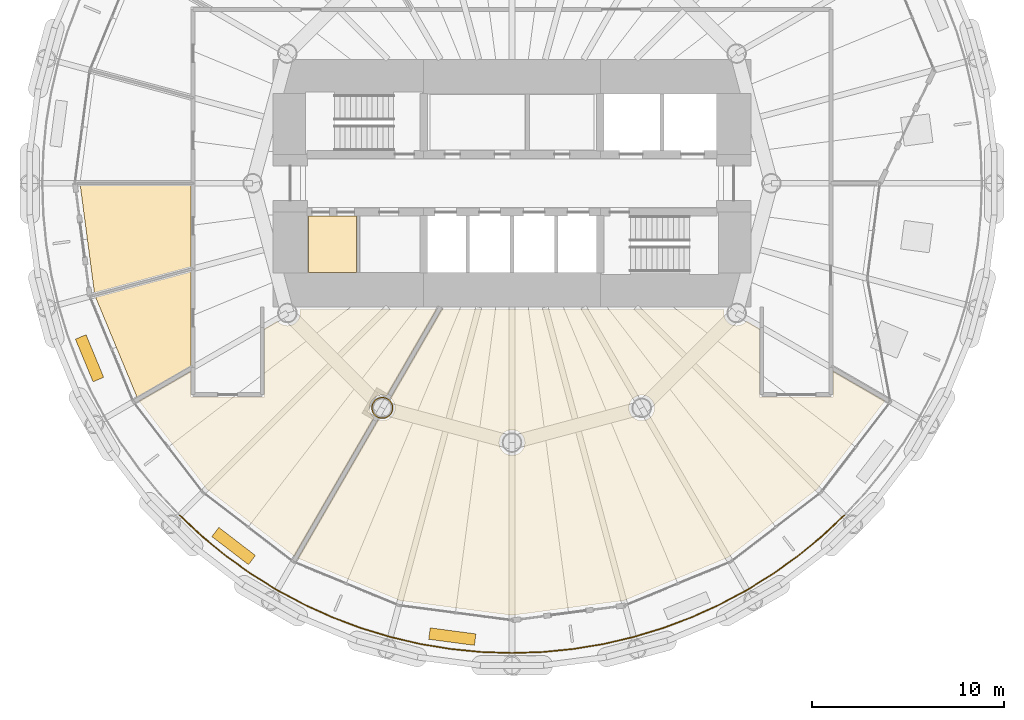
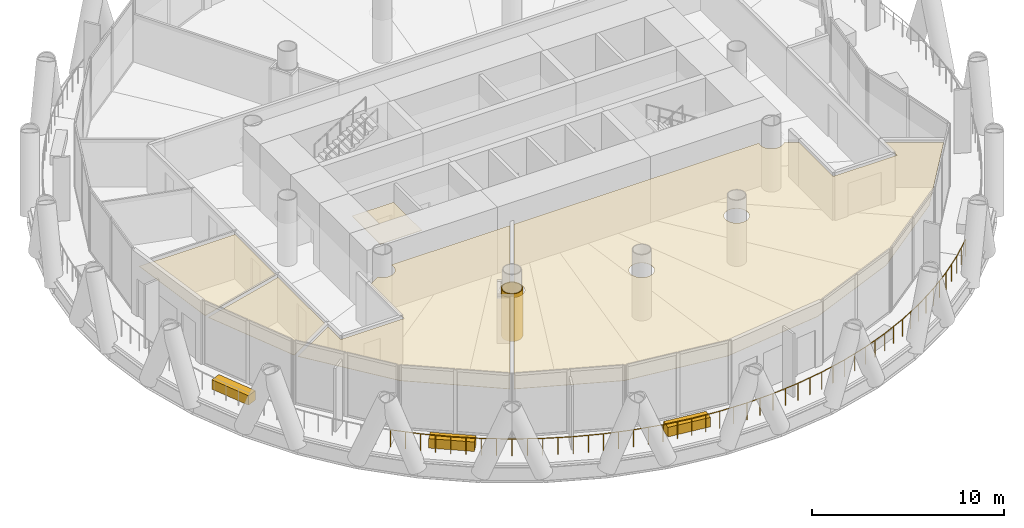
# One storey, part 12 of 15: 9 coverings, 1 railing.
"""IFC4 building model written with IfcOpenShell, lengths in metres."""

from ifc_helpers import new_model, si_unit, direction, frame, origin, origin_2d, place, context, subcontext, project, spatial, polyline, rectangle, circle, outline, extrude, material, layer, layer_set, type_object, element, save


model = new_model("IFC4")

# Units and contexts
model_context = context("Model", 3, precision=1e-05, world=origin(), true_north=direction((0.0, 1.0)))
body_context = subcontext(model_context, "Body", "Model", "MODEL_VIEW")
ifc_project = project(units=[si_unit("LENGTHUNIT", "METRE"), si_unit("AREAUNIT", "SQUARE_METRE"), si_unit("VOLUMEUNIT", "CUBIC_METRE"), si_unit("PLANEANGLEUNIT", "RADIAN"), si_unit("MASSUNIT", "GRAM", prefix="KILO")], contexts=[model_context])

# Site, building, storey
site_placement = place(None, origin())
site = spatial("IfcSite", under=ifc_project, at=site_placement, CompositionType="ELEMENT")
building_placement = place(site_placement, origin())
building = spatial("IfcBuilding", under=site, at=building_placement, Name="Qaws Media Tower", CompositionType="ELEMENT")
storey_placement = place(building_placement, frame((0.0, 0.0, 122.60009765625)))
storey = spatial("IfcBuildingStorey", under=building, at=storey_placement, Name="L27", CompositionType="ELEMENT", Elevation=122.60009765625)

# Railing
ifc_material_1 = material(Name="Stainless steel and glass guard", Category="steel")
railing_type = type_object("IfcRailingType", Name="Balcony guard 1100", PredefinedType="GUARDRAIL", material=ifc_material_1)
railing_placement = place(storey_placement, frame((42.711181640625, 32.711181640625, 0.0)))
element("IfcRailing", 1, at=railing_placement, inside=storey, type_object=railing_type, Name="GR1 balcony guard L27-3", PredefinedType="GUARDRAIL", context=body_context, shape_type="SweptSolid", body=[
    extrude(circle(Radius=0.02392578125, at=origin_2d()), frame((0.0, 0.0, 1.076171875), z_axis=(0.729846437179, -0.683611130788, 0.0), x_axis=(0.683611130788, 0.729846437179, 0.0)), (0.0, 0.0, 1.0), 1.599853515625),
    extrude(circle(Radius=0.02392578125, at=origin_2d()), frame((1.167724609375, -1.09375, 1.076171875), z_axis=(0.773052264414, -0.634342333827, 0.0), x_axis=(0.634342333827, 0.773052264414, 0.0)), (0.0, 0.0, 1.0), 1.599853515625),
    extrude(circle(Radius=0.02392578125, at=origin_2d()), frame((2.404541015625, -2.108642578125, 1.076171875), z_axis=(0.812866495667, -0.582450049551, 0.0), x_axis=(0.582450049551, 0.812866495667, 0.0)), (0.0, 0.0, 1.0), 1.599853515625),
    extrude(circle(Radius=0.02392578125, at=origin_2d()), frame((3.705078125, -3.04052734375, 1.076171875), z_axis=(0.849170660789, -0.528118536746, 0.0), x_axis=(0.528118536746, 0.849170660789, 0.0)), (0.0, 0.0, 1.0), 1.599853515625),
    extrude(circle(Radius=0.02392578125, at=origin_2d()), frame((5.063720703125, -3.885498046875, 1.076171875), z_axis=(0.881951354239, -0.471340438278, 0.0), x_axis=(0.471340438278, 0.881951354239, 0.0)), (0.0, 0.0, 1.0), 1.60009765625),
    extrude(circle(Radius=0.02392578125, at=origin_2d()), frame((6.474853515625, -4.6396484375, 1.076171875), z_axis=(0.910836214767, -0.412767961291, 0.0), x_axis=(0.412767961291, 0.910836214767, 0.0)), (0.0, 0.0, 1.0), 1.599853515625),
    extrude(circle(Radius=0.02392578125, at=origin_2d()), frame((7.93212890625, -5.300048828125, 1.076171875), z_axis=(0.935939832286, -0.352159949938, 0.0), x_axis=(0.352159949938, 0.935939832286, 0.0)), (0.0, 0.0, 1.0), 1.60009765625),
    extrude(circle(Radius=0.02392578125, at=origin_2d()), frame((9.4296875, -5.863525390625, 1.076171875), z_axis=(0.956910110118, -0.290384299084, 0.0), x_axis=(0.290384299084, 0.956910110118, 0.0)), (0.0, 0.0, 1.0), 1.599853515625),
    extrude(circle(Radius=0.02392578125, at=origin_2d()), frame((10.960693359375, -6.328125, 1.076171875), z_axis=(0.973879465991, -0.227065597837, 0.0), x_axis=(0.227065597837, 0.973879465991, 0.0)), (0.0, 0.0, 1.0), 1.599853515625),
    extrude(circle(Radius=0.02392578125, at=origin_2d()), frame((12.518798828125, -6.69140625, 1.076171875), z_axis=(0.986656594599, -0.162815123173, 0.0), x_axis=(0.162815123173, 0.986656594599, 0.0)), (0.0, 0.0, 1.0), 1.599853515625),
    extrude(circle(Radius=0.02392578125, at=origin_2d()), frame((14.097412109375, -6.951904296875, 1.076171875), z_axis=(0.995175210003, -0.098113716656, 0.0), x_axis=(0.098113716656, 0.995175210003, 0.0)), (0.0, 0.0, 1.0), 1.60009765625),
    extrude(circle(Radius=0.02392578125, at=origin_2d()), frame((15.689697265625, -7.10888671875, 1.076171875), z_axis=(0.999466705098, -0.032654332044, 0.0), x_axis=(0.032654332044, 0.999466705098, 0.0)), (0.0, 0.0, 1.0), 1.599853515625),
    extrude(circle(Radius=0.02392578125, at=origin_2d()), frame((17.288818359375, -7.1611328125, 1.076171875), z_axis=(0.999466705098, 0.032654332044, 0.0), x_axis=(-0.032654332044, 0.999466705098, 0.0)), (0.0, 0.0, 1.0), 1.599853515625),
    extrude(circle(Radius=0.02392578125, at=origin_2d()), frame((18.887939453125, -7.10888671875, 1.076171875), z_axis=(0.995175210003, 0.098113716656, 0.0), x_axis=(-0.098113716656, 0.995175210003, 0.0)), (0.0, 0.0, 1.0), 1.60009765625),
    extrude(circle(Radius=0.02392578125, at=origin_2d()), frame((20.480224609375, -6.951904296875, 1.076171875), z_axis=(0.986656594599, 0.162815123173, 0.0), x_axis=(-0.162815123173, 0.986656594599, 0.0)), (0.0, 0.0, 1.0), 1.599853515625),
    extrude(circle(Radius=0.02392578125, at=origin_2d()), frame((22.058837890625, -6.69140625, 1.076171875), z_axis=(0.973879465991, 0.227065597837, 0.0), x_axis=(-0.227065597837, 0.973879465991, 0.0)), (0.0, 0.0, 1.0), 1.599853515625),
    extrude(circle(Radius=0.02392578125, at=origin_2d()), frame((23.616943359375, -6.328125, 1.076171875), z_axis=(0.956910110118, 0.290384299084, 0.0), x_axis=(-0.290384299084, 0.956910110118, 0.0)), (0.0, 0.0, 1.0), 1.599853515625),
    extrude(circle(Radius=0.02392578125, at=origin_2d()), frame((25.14794921875, -5.863525390625, 1.076171875), z_axis=(0.935939832286, 0.352159949938, 0.0), x_axis=(-0.352159949938, 0.935939832286, 0.0)), (0.0, 0.0, 1.0), 1.60009765625),
    extrude(circle(Radius=0.02392578125, at=origin_2d()), frame((26.6455078125, -5.300048828125, 1.076171875), z_axis=(0.910836214767, 0.412767961291, 0.0), x_axis=(-0.412767961291, 0.910836214767, 0.0)), (0.0, 0.0, 1.0), 1.599853515625),
    extrude(circle(Radius=0.02392578125, at=origin_2d()), frame((28.102783203125, -4.6396484375, 1.076171875), z_axis=(0.881951354239, 0.471340438278, 0.0), x_axis=(-0.471340438278, 0.881951354239, 0.0)), (0.0, 0.0, 1.0), 1.60009765625),
    extrude(circle(Radius=0.02392578125, at=origin_2d()), frame((29.513916015625, -3.885498046875, 1.076171875), z_axis=(0.849170660789, 0.528118536746, 0.0), x_axis=(-0.528118536746, 0.849170660789, 0.0)), (0.0, 0.0, 1.0), 1.599853515625),
    extrude(circle(Radius=0.02392578125, at=origin_2d()), frame((30.87255859375, -3.04052734375, 1.076171875), z_axis=(0.812866495667, 0.582450049551, 0.0), x_axis=(-0.582450049551, 0.812866495667, 0.0)), (0.0, 0.0, 1.0), 1.599853515625),
    extrude(circle(Radius=0.02392578125, at=origin_2d()), frame((32.173095703125, -2.108642578125, 1.076171875), z_axis=(0.773052264414, 0.634342333827, 0.0), x_axis=(-0.634342333827, 0.773052264414, 0.0)), (0.0, 0.0, 1.0), 1.599853515625),
    extrude(circle(Radius=0.02392578125, at=origin_2d()), frame((33.409912109375, -1.09375, 1.076171875), z_axis=(0.729846437179, 0.683611130788, 0.0), x_axis=(-0.683611130788, 0.729846437179, 0.0)), (0.0, 0.0, 1.0), 1.599853515625),
    extrude(circle(Radius=0.02099609375, at=origin_2d()), origin(), (0.0, 0.0, 1.0), 1.052001953125),
    extrude(circle(Radius=0.02099609375, at=origin_2d()), frame((0.583984375, -0.546875, 0.0)), (0.0, 0.0, 1.0), 1.052001953125),
    extrude(circle(Radius=0.02099609375, at=origin_2d()), frame((1.167724609375, -1.09375, 0.0)), (0.0, 0.0, 1.0), 1.052001953125),
    extrude(circle(Radius=0.02099609375, at=origin_2d()), frame((1.7861328125, -1.60107421875, 0.0)), (0.0, 0.0, 1.0), 1.052001953125),
    extrude(circle(Radius=0.02099609375, at=origin_2d()), frame((2.404541015625, -2.108642578125, 0.0)), (0.0, 0.0, 1.0), 1.052001953125),
    extrude(circle(Radius=0.02099609375, at=origin_2d()), frame((3.0546875, -2.57470703125, 0.0)), (0.0, 0.0, 1.0), 1.052001953125),
    extrude(circle(Radius=0.02099609375, at=origin_2d()), frame((3.705078125, -3.04052734375, 0.0)), (0.0, 0.0, 1.0), 1.052001953125),
    extrude(circle(Radius=0.02099609375, at=origin_2d()), frame((4.38427734375, -3.462890625, 0.0)), (0.0, 0.0, 1.0), 1.052001953125),
    extrude(circle(Radius=0.02099609375, at=origin_2d()), frame((5.063720703125, -3.885498046875, 0.0)), (0.0, 0.0, 1.0), 1.052001953125),
    extrude(circle(Radius=0.02099609375, at=origin_2d()), frame((5.769287109375, -4.2626953125, 0.0)), (0.0, 0.0, 1.0), 1.052001953125),
    extrude(circle(Radius=0.02099609375, at=origin_2d()), frame((6.474853515625, -4.6396484375, 0.0)), (0.0, 0.0, 1.0), 1.052001953125),
    extrude(circle(Radius=0.02099609375, at=origin_2d()), frame((7.20361328125, -4.9697265625, 0.0)), (0.0, 0.0, 1.0), 1.052001953125),
    extrude(circle(Radius=0.02099609375, at=origin_2d()), frame((7.93212890625, -5.300048828125, 0.0)), (0.0, 0.0, 1.0), 1.052001953125),
    extrude(circle(Radius=0.02099609375, at=origin_2d()), frame((8.680908203125, -5.581787109375, 0.0)), (0.0, 0.0, 1.0), 1.052001953125),
    extrude(circle(Radius=0.02099609375, at=origin_2d()), frame((9.4296875, -5.863525390625, 0.0)), (0.0, 0.0, 1.0), 1.052001953125),
    extrude(circle(Radius=0.02099609375, at=origin_2d()), frame((10.1953125, -6.095703125, 0.0)), (0.0, 0.0, 1.0), 1.052001953125),
    extrude(circle(Radius=0.02099609375, at=origin_2d()), frame((10.960693359375, -6.328125, 0.0)), (0.0, 0.0, 1.0), 1.052001953125),
    extrude(circle(Radius=0.02099609375, at=origin_2d()), frame((11.73974609375, -6.509765625, 0.0)), (0.0, 0.0, 1.0), 1.052001953125),
    extrude(circle(Radius=0.02099609375, at=origin_2d()), frame((12.518798828125, -6.69140625, 0.0)), (0.0, 0.0, 1.0), 1.052001953125),
    extrude(circle(Radius=0.02099609375, at=origin_2d()), frame((13.30810546875, -6.82177734375, 0.0)), (0.0, 0.0, 1.0), 1.052001953125),
    extrude(circle(Radius=0.02099609375, at=origin_2d()), frame((14.097412109375, -6.951904296875, 0.0)), (0.0, 0.0, 1.0), 1.052001953125),
    extrude(circle(Radius=0.02099609375, at=origin_2d()), frame((14.8935546875, -7.0302734375, 0.0)), (0.0, 0.0, 1.0), 1.052001953125),
    extrude(circle(Radius=0.02099609375, at=origin_2d()), frame((15.689697265625, -7.10888671875, 0.0)), (0.0, 0.0, 1.0), 1.052001953125),
    extrude(circle(Radius=0.02099609375, at=origin_2d()), frame((16.4892578125, -7.135009765625, 0.0)), (0.0, 0.0, 1.0), 1.052001953125),
    extrude(circle(Radius=0.02099609375, at=origin_2d()), frame((17.288818359375, -7.1611328125, 0.0)), (0.0, 0.0, 1.0), 1.052001953125),
    extrude(circle(Radius=0.02099609375, at=origin_2d()), frame((18.08837890625, -7.135009765625, 0.0)), (0.0, 0.0, 1.0), 1.052001953125),
    extrude(circle(Radius=0.02099609375, at=origin_2d()), frame((18.887939453125, -7.10888671875, 0.0)), (0.0, 0.0, 1.0), 1.052001953125),
    extrude(circle(Radius=0.02099609375, at=origin_2d()), frame((19.68408203125, -7.0302734375, 0.0)), (0.0, 0.0, 1.0), 1.052001953125),
    extrude(circle(Radius=0.02099609375, at=origin_2d()), frame((20.480224609375, -6.951904296875, 0.0)), (0.0, 0.0, 1.0), 1.052001953125),
    extrude(circle(Radius=0.02099609375, at=origin_2d()), frame((21.26953125, -6.82177734375, 0.0)), (0.0, 0.0, 1.0), 1.052001953125),
    extrude(circle(Radius=0.02099609375, at=origin_2d()), frame((22.058837890625, -6.69140625, 0.0)), (0.0, 0.0, 1.0), 1.052001953125),
    extrude(circle(Radius=0.02099609375, at=origin_2d()), frame((22.837890625, -6.509765625, 0.0)), (0.0, 0.0, 1.0), 1.052001953125),
    extrude(circle(Radius=0.02099609375, at=origin_2d()), frame((23.616943359375, -6.328125, 0.0)), (0.0, 0.0, 1.0), 1.052001953125),
    extrude(circle(Radius=0.02099609375, at=origin_2d()), frame((24.38232421875, -6.095703125, 0.0)), (0.0, 0.0, 1.0), 1.052001953125),
    extrude(circle(Radius=0.02099609375, at=origin_2d()), frame((25.14794921875, -5.863525390625, 0.0)), (0.0, 0.0, 1.0), 1.052001953125),
    extrude(circle(Radius=0.02099609375, at=origin_2d()), frame((25.896728515625, -5.581787109375, 0.0)), (0.0, 0.0, 1.0), 1.052001953125),
    extrude(circle(Radius=0.02099609375, at=origin_2d()), frame((26.6455078125, -5.300048828125, 0.0)), (0.0, 0.0, 1.0), 1.052001953125),
    extrude(circle(Radius=0.02099609375, at=origin_2d()), frame((27.3740234375, -4.9697265625, 0.0)), (0.0, 0.0, 1.0), 1.052001953125),
    extrude(circle(Radius=0.02099609375, at=origin_2d()), frame((28.102783203125, -4.6396484375, 0.0)), (0.0, 0.0, 1.0), 1.052001953125),
    extrude(circle(Radius=0.02099609375, at=origin_2d()), frame((28.808349609375, -4.2626953125, 0.0)), (0.0, 0.0, 1.0), 1.052001953125),
    extrude(circle(Radius=0.02099609375, at=origin_2d()), frame((29.513916015625, -3.885498046875, 0.0)), (0.0, 0.0, 1.0), 1.052001953125),
    extrude(circle(Radius=0.02099609375, at=origin_2d()), frame((30.193359375, -3.462890625, 0.0)), (0.0, 0.0, 1.0), 1.052001953125),
    extrude(circle(Radius=0.02099609375, at=origin_2d()), frame((30.87255859375, -3.04052734375, 0.0)), (0.0, 0.0, 1.0), 1.052001953125),
    extrude(circle(Radius=0.02099609375, at=origin_2d()), frame((31.52294921875, -2.57470703125, 0.0)), (0.0, 0.0, 1.0), 1.052001953125),
    extrude(circle(Radius=0.02099609375, at=origin_2d()), frame((32.173095703125, -2.108642578125, 0.0)), (0.0, 0.0, 1.0), 1.052001953125),
    extrude(circle(Radius=0.02099609375, at=origin_2d()), frame((32.79150390625, -1.60107421875, 0.0)), (0.0, 0.0, 1.0), 1.052001953125),
    extrude(circle(Radius=0.02099609375, at=origin_2d()), frame((33.409912109375, -1.09375, 0.0)), (0.0, 0.0, 1.0), 1.052001953125),
    extrude(circle(Radius=0.02099609375, at=origin_2d()), frame((33.99365234375, -0.546875, 0.0)), (0.0, 0.0, 1.0), 1.052001953125),
    extrude(circle(Radius=0.02099609375, at=origin_2d()), frame((34.57763671875, 0.0, 0.0)), (0.0, 0.0, 1.0), 1.052001953125),
])

# Coverings
ifc_material_2 = material(Name="Two layers 15 fire-rated gypsum board on steel framing", Category="steel")
ifc_layer_1 = layer(ifc_material_2, 0.050048828125)
ifc_layer_set_1 = layer_set([ifc_layer_1], Name="Column fire casing")
covering_type_1 = type_object("IfcCoveringType", Name="Column fire casing", PredefinedType="CLADDING", material=ifc_layer_set_1)
covering_1_placement = place(storey_placement, origin())
element("IfcCovering", 2, at=covering_1_placement, inside=storey, type_object=covering_type_1, Name="CC1 column casing L27", PredefinedType="CLADDING", context=body_context, shape_type="SweptSolid", body=[
    extrude(outline(polyline([(53.81298828125, 38.30859375), (53.80810546875, 38.235107421875), (53.793701171875, 38.162841796875), (53.77001953125, 38.09326171875), (53.737548828125, 38.027099609375), (53.69677734375, 37.9658203125), (53.648193359375, 37.91064453125), (53.5927734375, 37.862060546875), (53.531494140625, 37.821044921875), (53.465576171875, 37.78857421875), (53.395751953125, 37.764892578125), (53.323486328125, 37.75048828125), (53.25, 37.74560546875), (53.176513671875, 37.75048828125), (53.104248046875, 37.764892578125), (53.034423828125, 37.78857421875), (52.968505859375, 37.821044921875), (52.9072265625, 37.862060546875), (52.851806640625, 37.91064453125), (52.80322265625, 37.9658203125), (52.762451171875, 38.027099609375), (52.72998046875, 38.09326171875), (52.706298828125, 38.162841796875), (52.69189453125, 38.235107421875), (52.68701171875, 38.30859375), (52.69189453125, 38.382080078125), (52.706298828125, 38.454345703125), (52.72998046875, 38.524169921875), (52.762451171875, 38.590087890625), (52.80322265625, 38.6513671875), (52.851806640625, 38.706787109375), (52.9072265625, 38.75537109375), (52.968505859375, 38.796142578125), (53.034423828125, 38.828857421875), (53.104248046875, 38.8525390625), (53.176513671875, 38.86669921875), (53.25, 38.87158203125), (53.323486328125, 38.86669921875), (53.395751953125, 38.8525390625), (53.465576171875, 38.828857421875), (53.531494140625, 38.796142578125), (53.5927734375, 38.75537109375), (53.648193359375, 38.706787109375), (53.69677734375, 38.6513671875), (53.737548828125, 38.590087890625), (53.77001953125, 38.524169921875), (53.793701171875, 38.454345703125), (53.80810546875, 38.382080078125), (53.81298828125, 38.30859375)]), holes=[polyline([(53.760986328125, 38.30859375), (53.756591796875, 38.241943359375), (53.74365234375, 38.176513671875), (53.72216796875, 38.113037109375), (53.6923828125, 38.05322265625), (53.655517578125, 37.99755859375), (53.611328125, 37.947265625), (53.56103515625, 37.9033203125), (53.505615234375, 37.8662109375), (53.445556640625, 37.836669921875), (53.38232421875, 37.815185546875), (53.316650390625, 37.802001953125), (53.25, 37.797607421875), (53.183349609375, 37.802001953125), (53.11767578125, 37.815185546875), (53.054443359375, 37.836669921875), (52.994384765625, 37.8662109375), (52.93896484375, 37.9033203125), (52.888671875, 37.947265625), (52.844482421875, 37.99755859375), (52.8076171875, 38.05322265625), (52.77783203125, 38.113037109375), (52.75634765625, 38.176513671875), (52.743408203125, 38.241943359375), (52.739013671875, 38.30859375), (52.743408203125, 38.37548828125), (52.75634765625, 38.44091796875), (52.77783203125, 38.504150390625), (52.8076171875, 38.564208984375), (52.844482421875, 38.61962890625), (52.888671875, 38.669921875), (52.93896484375, 38.714111328125), (52.994384765625, 38.751220703125), (53.054443359375, 38.78076171875), (53.11767578125, 38.80224609375), (53.183349609375, 38.815185546875), (53.25, 38.819580078125), (53.316650390625, 38.815185546875), (53.38232421875, 38.80224609375), (53.445556640625, 38.78076171875), (53.505615234375, 38.751220703125), (53.56103515625, 38.714111328125), (53.611328125, 38.669921875), (53.655517578125, 38.61962890625), (53.6923828125, 38.564208984375), (53.72216796875, 38.504150390625), (53.74365234375, 38.44091796875), (53.756591796875, 38.37548828125), (53.760986328125, 38.30859375)])]), origin(), (0.0, 0.0, 1.0), 3.02001953125),
])
ifc_material_3 = material(Name="600 x 600 mineral fibre tiles in exposed grid, suspended", Category="mineral fibre")
ifc_layer_2 = layer(ifc_material_3, 0.02001953125)
ifc_layer_set_2 = layer_set([ifc_layer_2], Name="Mineral fibre tile ceiling 20")
covering_type_2 = type_object("IfcCoveringType", Name="Mineral fibre tile ceiling 20", PredefinedType="CEILING", material=ifc_layer_set_2)
covering_2_placement = place(storey_placement, frame((0.0, 0.0, 2.849853515625)))
element("IfcCovering", 3, at=covering_2_placement, inside=storey, type_object=covering_type_2, Name="CL1 ceiling L27-06 Office", PredefinedType="CEILING", context=body_context, shape_type="SweptSolid", body=[
    extrude(outline(polyline([(37.529541015625, 49.887451171875), (43.28759765625, 49.887451171875), (43.28759765625, 45.638427734375), (38.26611328125, 44.29296875), (37.529541015625, 49.887451171875)])), origin(), (0.0, 0.0, 1.0), 0.02001953125),
])
covering_3_placement = place(storey_placement, frame((0.0, 0.0, 2.849853515625)))
element("IfcCovering", 4, at=covering_3_placement, inside=storey, type_object=covering_type_2, Name="CL1 ceiling L27-07 Office", PredefinedType="CEILING", context=body_context, shape_type="SweptSolid", body=[
    extrude(outline(polyline([(38.324462890625, 44.07568359375), (43.28759765625, 45.405517578125), (43.28759765625, 40.48095703125), (40.48388671875, 38.8623046875), (38.324462890625, 44.07568359375)])), origin(), (0.0, 0.0, 1.0), 0.02001953125),
])
covering_4_placement = place(storey_placement, frame((0.0, 0.0, 2.849853515625)))
element("IfcCovering", 5, at=covering_4_placement, inside=storey, type_object=covering_type_2, Name="CL1 ceiling L27-08 Finance office", PredefinedType="CEILING", context=body_context, shape_type="SweptSolid", body=[
    extrude(outline(polyline([(44.1005859375, 34.1005859375), (40.59619140625, 38.66748046875), (43.28759765625, 40.22119140625), (43.28759765625, 38.887451171875), (47.112548828125, 38.887451171875), (47.112548828125, 42.429443359375), (47.795654296875, 42.823974609375), (47.836181640625, 42.777587890625), (47.902099609375, 42.719970703125), (47.974609375, 42.67138671875), (48.052978515625, 42.6328125), (48.1357421875, 42.604736328125), (48.221435546875, 42.587646484375), (48.30859375, 42.58203125), (48.395751953125, 42.587646484375), (48.4814453125, 42.604736328125), (48.564208984375, 42.6328125), (48.642578125, 42.67138671875), (48.71533203125, 42.719970703125), (48.781005859375, 42.777587890625), (48.838623046875, 42.84326171875), (48.88720703125, 42.916015625), (48.92578125, 42.994384765625), (48.953857421875, 43.0771484375), (48.970947265625, 43.162841796875), (48.976806640625, 43.25), (48.970947265625, 43.337158203125), (48.953857421875, 43.4228515625), (48.948974609375, 43.4375), (56.081298828125, 43.4375), (53.481201171875, 38.93408203125), (53.4228515625, 38.953857421875), (53.337158203125, 38.970947265625), (53.25, 38.976806640625), (53.162841796875, 38.970947265625), (53.0771484375, 38.953857421875), (52.994384765625, 38.92578125), (52.916015625, 38.88720703125), (52.84326171875, 38.838623046875), (52.777587890625, 38.781005859375), (52.719970703125, 38.71533203125), (52.67138671875, 38.642578125), (52.6328125, 38.564208984375), (52.604736328125, 38.4814453125), (52.587646484375, 38.395751953125), (52.58203125, 38.30859375), (52.587646484375, 38.221435546875), (52.604736328125, 38.1357421875), (52.6328125, 38.052978515625), (52.67138671875, 37.974609375), (52.719970703125, 37.902099609375), (52.777587890625, 37.836181640625), (52.823974609375, 37.795654296875), (48.66748046875, 30.59619140625), (44.1005859375, 34.1005859375)])), origin(), (0.0, 0.0, 1.0), 0.02001953125),
])
covering_5_placement = place(storey_placement, frame((0.0, 0.0, 2.849853515625)))
element("IfcCovering", 6, at=covering_5_placement, inside=storey, type_object=covering_type_2, Name="CL1 ceiling L27-09 Finance office", PredefinedType="CEILING", context=body_context, shape_type="SweptSolid", body=[
    extrude(outline(polyline([(72.887451171875, 38.887451171875), (76.71240234375, 38.887451171875), (76.71240234375, 40.22119140625), (79.40380859375, 38.66748046875), (75.8994140625, 34.1005859375), (71.24267578125, 30.527099609375), (65.819580078125, 28.281005859375), (60.0, 27.514892578125), (54.180419921875, 28.281005859375), (48.8623046875, 30.48388671875), (53.018798828125, 37.68310546875), (53.0771484375, 37.663330078125), (53.162841796875, 37.646484375), (53.25, 37.640625), (53.337158203125, 37.646484375), (53.4228515625, 37.663330078125), (53.505615234375, 37.69140625), (53.583984375, 37.730224609375), (53.65673828125, 37.77880859375), (53.722412109375, 37.836181640625), (53.780029296875, 37.902099609375), (53.82861328125, 37.974609375), (53.8671875, 38.052978515625), (53.895263671875, 38.1357421875), (53.912353515625, 38.221435546875), (53.91796875, 38.30859375), (53.912353515625, 38.395751953125), (53.895263671875, 38.4814453125), (53.8671875, 38.564208984375), (53.82861328125, 38.642578125), (53.780029296875, 38.71533203125), (53.722412109375, 38.781005859375), (53.676025390625, 38.821533203125), (56.341064453125, 43.4375), (71.051025390625, 43.4375), (71.046142578125, 43.4228515625), (71.029052734375, 43.337158203125), (71.023193359375, 43.25), (71.029052734375, 43.162841796875), (71.046142578125, 43.0771484375), (71.07421875, 42.994384765625), (71.11279296875, 42.916015625), (71.161376953125, 42.84326171875), (71.218994140625, 42.777587890625), (71.28466796875, 42.719970703125), (71.357421875, 42.67138671875), (71.435791015625, 42.6328125), (71.5185546875, 42.604736328125), (71.604248046875, 42.587646484375), (71.69140625, 42.58203125), (71.778564453125, 42.587646484375), (71.8642578125, 42.604736328125), (71.947021484375, 42.6328125), (72.025390625, 42.67138671875), (72.097900390625, 42.719970703125), (72.163818359375, 42.777587890625), (72.204345703125, 42.823974609375), (72.887451171875, 42.429443359375), (72.887451171875, 38.887451171875)]), holes=[polyline([(60.645263671875, 36.3271484375), (60.662353515625, 36.412841796875), (60.66796875, 36.5), (60.662353515625, 36.587158203125), (60.645263671875, 36.6728515625), (60.6171875, 36.755615234375), (60.57861328125, 36.833984375), (60.530029296875, 36.90673828125), (60.472412109375, 36.972412109375), (60.40673828125, 37.030029296875), (60.333984375, 37.07861328125), (60.255615234375, 37.1171875), (60.1728515625, 37.145263671875), (60.087158203125, 37.162353515625), (60.0, 37.16796875), (59.912841796875, 37.162353515625), (59.8271484375, 37.145263671875), (59.744384765625, 37.1171875), (59.666015625, 37.07861328125), (59.59326171875, 37.030029296875), (59.527587890625, 36.972412109375), (59.469970703125, 36.90673828125), (59.42138671875, 36.833984375), (59.3828125, 36.755615234375), (59.354736328125, 36.6728515625), (59.337646484375, 36.587158203125), (59.33203125, 36.5), (59.337646484375, 36.412841796875), (59.354736328125, 36.3271484375), (59.3828125, 36.244384765625), (59.42138671875, 36.166015625), (59.469970703125, 36.09326171875), (59.527587890625, 36.027587890625), (59.59326171875, 35.969970703125), (59.666015625, 35.92138671875), (59.744384765625, 35.8828125), (59.8271484375, 35.854736328125), (59.912841796875, 35.837646484375), (60.0, 35.83203125), (60.087158203125, 35.837646484375), (60.1728515625, 35.854736328125), (60.255615234375, 35.8828125), (60.333984375, 35.92138671875), (60.40673828125, 35.969970703125), (60.472412109375, 36.027587890625), (60.530029296875, 36.09326171875), (60.57861328125, 36.166015625), (60.6171875, 36.244384765625), (60.645263671875, 36.3271484375)]), polyline([(67.3671875, 38.052978515625), (67.395263671875, 38.1357421875), (67.412353515625, 38.221435546875), (67.41796875, 38.30859375), (67.412353515625, 38.395751953125), (67.395263671875, 38.4814453125), (67.3671875, 38.564208984375), (67.32861328125, 38.642578125), (67.280029296875, 38.71533203125), (67.222412109375, 38.781005859375), (67.15673828125, 38.838623046875), (67.083984375, 38.88720703125), (67.005615234375, 38.92578125), (66.9228515625, 38.953857421875), (66.837158203125, 38.970947265625), (66.75, 38.976806640625), (66.662841796875, 38.970947265625), (66.5771484375, 38.953857421875), (66.494384765625, 38.92578125), (66.416015625, 38.88720703125), (66.34326171875, 38.838623046875), (66.277587890625, 38.781005859375), (66.219970703125, 38.71533203125), (66.17138671875, 38.642578125), (66.1328125, 38.564208984375), (66.104736328125, 38.4814453125), (66.087646484375, 38.395751953125), (66.08203125, 38.30859375), (66.087646484375, 38.221435546875), (66.104736328125, 38.1357421875), (66.1328125, 38.052978515625), (66.17138671875, 37.974609375), (66.219970703125, 37.902099609375), (66.277587890625, 37.836181640625), (66.34326171875, 37.77880859375), (66.416015625, 37.730224609375), (66.494384765625, 37.69140625), (66.5771484375, 37.663330078125), (66.662841796875, 37.646484375), (66.75, 37.640625), (66.837158203125, 37.646484375), (66.9228515625, 37.663330078125), (67.005615234375, 37.69140625), (67.083984375, 37.730224609375), (67.15673828125, 37.77880859375), (67.222412109375, 37.836181640625), (67.280029296875, 37.902099609375), (67.32861328125, 37.974609375), (67.3671875, 38.052978515625)])]), origin(), (0.0, 0.0, 1.0), 0.02001953125),
])
covering_6_placement = place(storey_placement, frame((0.0, 0.0, 2.849853515625)))
element("IfcCovering", 7, at=covering_6_placement, inside=storey, type_object=covering_type_2, Name="CL1 ceiling L27-C04 Shower room", PredefinedType="CEILING", context=body_context, shape_type="SweptSolid", body=[
    extrude(outline(polyline([(49.39990234375, 45.35009765625), (49.39990234375, 48.300048828125), (51.89990234375, 48.300048828125), (51.89990234375, 45.35009765625), (49.39990234375, 45.35009765625)])), origin(), (0.0, 0.0, 1.0), 0.02001953125),
])
ifc_material_4 = material(Name="Precast concrete planter with trailing planting", Category="concrete")
ifc_layer_3 = layer(ifc_material_4, 0.60009765625)
ifc_layer_set_3 = layer_set([ifc_layer_3], Name="Planter 2400x600")
covering_type_3 = type_object("IfcCoveringType", Name="Planter 2400x600", PredefinedType="USERDEFINED", material=ifc_layer_set_3)
for number, where, z_axis, x_axis, name in (
    (8, (38.01171875, 40.89208984375, -0.000244140625), (0.0, 0.0, 1.0), (0.382683432365, -0.923879532511, 0.0), "PL1 balcony planter L27-07"),
    (9, (45.511474609375, 31.1181640625, -0.000244140625), (0.0, 0.0, 1.0), (0.793353340291, -0.608761429009, 0.0), "PL1 balcony planter L27-08"),
    (10, (56.8935546875, 26.403564453125, -0.000244140625), (0.0, 0.0, 1.0), (0.991444861374, -0.13052619222, 0.0), "PL1 balcony planter L27-09"),
):
    element("IfcCovering", number, at=place(storey_placement, frame(where, z_axis=z_axis, x_axis=x_axis)), inside=storey, type_object=covering_type_3, Name=name, ObjectType="PLANTER", PredefinedType="USERDEFINED", context=body_context, shape_type="SweptSolid", body=[
        extrude(rectangle(XDim=2.39990234375, YDim=0.60009765625, at=origin_2d()), origin(), (0.0, 0.0, 1.0), 0.60009765625),
    ])

save(model, "model.ifc")
